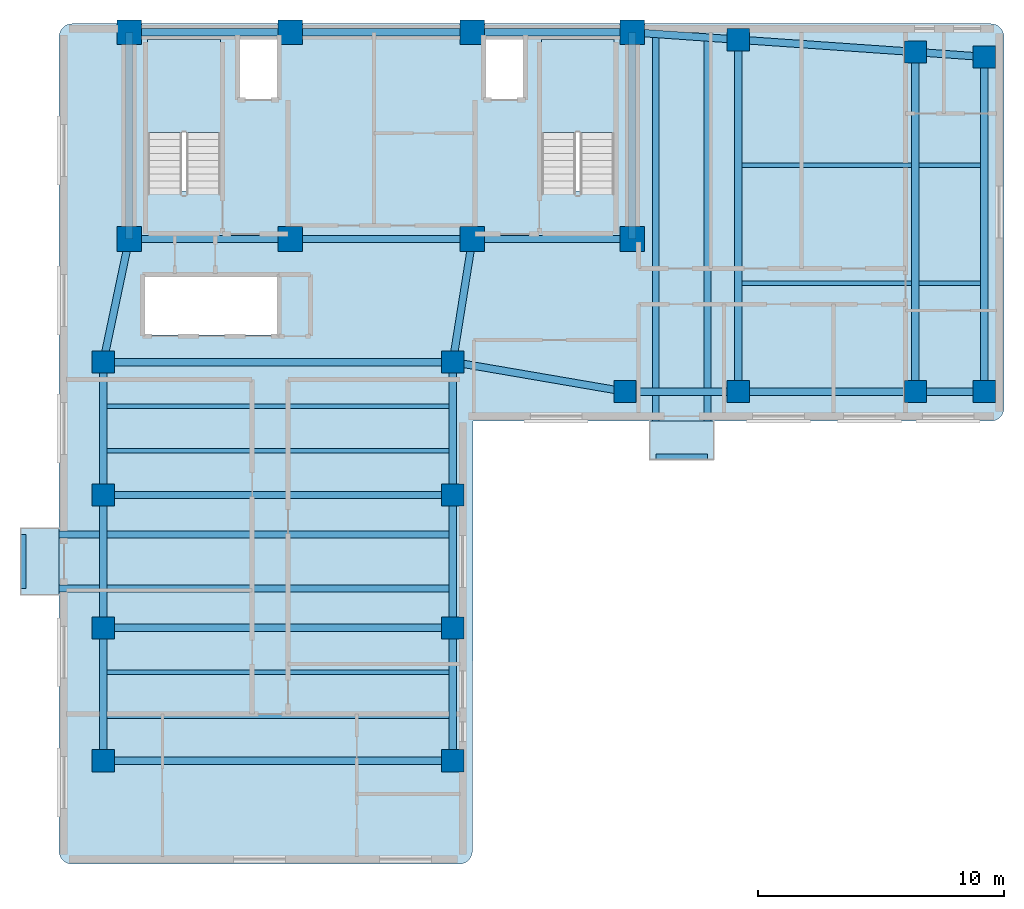
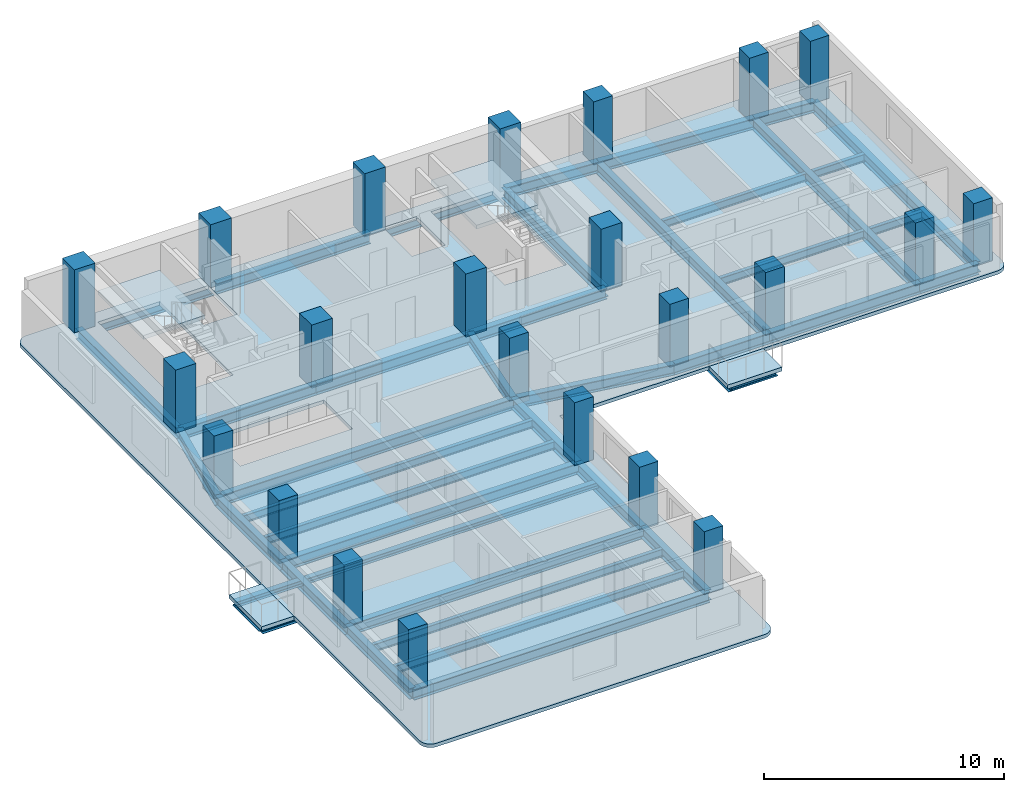
# One storey, part 1 of 7: 44 beams, 23 columns, 5 slabs, 2 elements without a shape of their own.
"""IFC4 building model written with IfcOpenShell, lengths in metres."""

from ifc_helpers import new_model, si_unit, direction, frame, origin, origin_2d, place, context, subcontext, project, spatial, polyline, rectangle, i_section, outline, extrude, material, layer, layer_set, material_profile, profile_set, type_object, element, aggregate, save


model = new_model("IFC4")

# Units and contexts
model_context = context("Model", 3, precision=1e-05, world=origin(), true_north=direction((0.0, 1.0)))
body_context = subcontext(model_context, "Body", "Model", "MODEL_VIEW")
ifc_project = project(units=[si_unit("LENGTHUNIT", "METRE"), si_unit("AREAUNIT", "SQUARE_METRE"), si_unit("VOLUMEUNIT", "CUBIC_METRE"), si_unit("PLANEANGLEUNIT", "RADIAN"), si_unit("MASSUNIT", "GRAM", prefix="KILO")], contexts=[model_context])

# Site, building, storey
site_placement = place(None, origin())
site = spatial("IfcSite", under=ifc_project, at=site_placement, CompositionType="ELEMENT")
building_placement = place(site_placement, origin())
building = spatial("IfcBuilding", under=site, at=building_placement, Name="Kuzgunbayir Cultural Tower", CompositionType="ELEMENT")
storey_placement = place(building_placement, frame((0.0, 0.0, 172.800048828125)))
storey = spatial("IfcBuildingStorey", under=building, at=storey_placement, Name="L50", CompositionType="ELEMENT", Elevation=172.800048828125)

# Columns
ifc_material_1 = material(Name="Concrete C50/60", Category="concrete")
ifc_material_profile_1 = material_profile(ifc_material_1, rectangle(XDim=1.0, YDim=1.0, at=origin_2d()), Name="RC 1000x1000")
ifc_profile_set_1 = profile_set([ifc_material_profile_1], Name="Concrete C50/60")
column_type_1 = type_object("IfcColumnType", Name="COL-CORE-1000", PredefinedType="COLUMN", material=ifc_profile_set_1)
for number, where, z_axis, x_axis, name in (
    (1, (6.449951171875, 33.800048828125, 0.0), (0.0, 0.0, 1.0), (1.0, 0.0, 0.0), "L50 T1 Core Boundary Column CC1-1"),
    (2, (13.0, 33.800048828125, 0.0), (0.0, 0.0, 1.0), (1.0, 0.0, 0.0), "L50 T1 Core Boundary Column CC1-2"),
    (3, (20.39990234375, 33.800048828125, 0.0), (0.0, 0.0, 1.0), (1.0, 0.0, 0.0), "L50 T1 Core Boundary Column CC1-3"),
    (4, (26.89990234375, 33.800048828125, 0.0), (0.0, 0.0, 1.0), (1.0, 0.0, 0.0), "L50 T1 Core Boundary Column CC1-4"),
    (5, (6.449951171875, 42.199951171875, 0.0), (0.0, 0.0, 1.0), (1.0, 0.0, 0.0), "L50 T1 Core Boundary Column CC1-5"),
    (6, (13.0, 42.199951171875, 0.0), (0.0, 0.0, 1.0), (1.0, 0.0, 0.0), "L50 T1 Core Boundary Column CC1-6"),
    (7, (20.39990234375, 42.199951171875, 0.0), (0.0, 0.0, 1.0), (1.0, 0.0, 0.0), "L50 T1 Core Boundary Column CC1-7"),
    (8, (26.89990234375, 42.199951171875, 0.0), (0.0, 0.0, 1.0), (1.0, 0.0, 0.0), "L50 T1 Core Boundary Column CC1-8"),
):
    element("IfcColumn", number, at=place(storey_placement, frame(where, z_axis=z_axis, x_axis=x_axis)), inside=storey, type_object=column_type_1, Name=name, PredefinedType="COLUMN", context=body_context, shape_type="SweptSolid", body=[
        extrude(rectangle(XDim=1.0, YDim=1.0, at=origin_2d()), origin(), (0.0, 0.0, 1.0), 3.199951171875),
    ])
ifc_material_profile_2 = material_profile(ifc_material_1, rectangle(XDim=0.89990234375, YDim=0.89990234375, at=origin_2d()), Name="RC 900x900")
ifc_profile_set_2 = profile_set([ifc_material_profile_2], Name="Concrete C50/60")
column_type_2 = type_object("IfcColumnType", Name="COL-T1-900", PredefinedType="COLUMN", material=ifc_profile_set_2)
for number, where, z_axis, x_axis, name in (
    (9, (5.39990234375, 12.60009765625, 0.0), (0.0, 0.0, 1.0), (1.0, 0.0, 0.0), "L50 Tower 1 Wing A Column T1A-W-1"),
    (10, (19.60009765625, 12.60009765625, 0.0), (0.0, 0.0, 1.0), (1.0, 0.0, 0.0), "L50 Tower 1 Wing A Column T1A-E-1"),
    (11, (5.39990234375, 18.0, 0.0), (0.0, 0.0, 1.0), (1.0, 0.0, 0.0), "L50 Tower 1 Wing A Column T1A-W-2"),
    (12, (19.60009765625, 18.0, 0.0), (0.0, 0.0, 1.0), (1.0, 0.0, 0.0), "L50 Tower 1 Wing A Column T1A-E-2"),
    (13, (5.39990234375, 23.39990234375, 0.0), (0.0, 0.0, 1.0), (1.0, 0.0, 0.0), "L50 Tower 1 Wing A Column T1A-W-3"),
    (14, (19.60009765625, 23.39990234375, 0.0), (0.0, 0.0, 1.0), (1.0, 0.0, 0.0), "L50 Tower 1 Wing A Column T1A-E-3"),
    (15, (5.39990234375, 28.800048828125, 0.0), (0.0, 0.0, 1.0), (1.0, 0.0, 0.0), "L50 Tower 1 Wing A Column T1A-W-4"),
    (16, (19.60009765625, 28.800048828125, 0.0), (0.0, 0.0, 1.0), (1.0, 0.0, 0.0), "L50 Tower 1 Wing A Column T1A-E-4"),
    (17, (26.60009765625, 27.60009765625, 0.0), (0.0, 0.0, 1.0), (1.0, 0.0, 0.0), "L50 Tower 1 Wing B Column T1B-1-1"),
    (18, (31.199951171875, 27.60009765625, 0.0), (0.0, 0.0, 1.0), (1.0, 0.0, 0.0), "L50 Tower 1 Wing B Column T1B-2-1"),
    (19, (31.199951171875, 41.89990234375, 0.0), (0.0, 0.0, 1.0), (1.0, 0.0, 0.0), "L50 Tower 1 Wing B Column T1B-2-2"),
    (20, (38.39990234375, 27.60009765625, 0.0), (0.0, 0.0, 1.0), (1.0, 0.0, 0.0), "L50 Tower 1 Wing B Column T1B-3-1"),
    (21, (38.39990234375, 41.39990234375, 0.0), (0.0, 0.0, 1.0), (1.0, 0.0, 0.0), "L50 Tower 1 Wing B Column T1B-3-2"),
    (22, (41.199951171875, 27.60009765625, 0.0), (0.0, 0.0, 1.0), (1.0, 0.0, 0.0), "L50 Tower 1 Wing B Column T1B-4-1"),
    (23, (41.199951171875, 41.199951171875, 0.0), (0.0, 0.0, 1.0), (1.0, 0.0, 0.0), "L50 Tower 1 Wing B Column T1B-4-2"),
):
    element("IfcColumn", number, at=place(storey_placement, frame(where, z_axis=z_axis, x_axis=x_axis)), inside=storey, type_object=column_type_2, Name=name, PredefinedType="COLUMN", context=body_context, shape_type="SweptSolid", body=[
        extrude(rectangle(XDim=0.89990234375, YDim=0.89990234375, at=origin_2d()), origin(), (0.0, 0.0, 1.0), 3.199951171875),
    ])

# Beams
ifc_material_2 = material(Name="Steel S355J2", Category="steel")
ifc_material_profile_3 = material_profile(ifc_material_2, i_section(OverallWidth=0.280029296875, OverallDepth=0.280029296875, WebThickness=0.010498046875, FlangeThickness=0.01806640625, FilletRadius=0.02392578125, at=origin_2d()), Name="HEB 280")
ifc_profile_set_3 = profile_set([ifc_material_profile_3], Name="Steel S355J2")
beam_type_1 = type_object("IfcBeamType", Name="BM-BAL-HEB280", PredefinedType="BEAM", material=ifc_profile_set_3)
for number, where, z_axis, x_axis, name in (
    (24, (2.159912109375, 19.60009765625, -0.340087890625), (1.0, 0.0, 0.0), (0.0, 1.0, 0.0), "L50 Balcony Outrigger Beam BAL-L50-WA2.1"),
    (25, (2.159912109375, 21.800048828125, -0.340087890625), (1.0, 0.0, 0.0), (0.0, 1.0, 0.0), "L50 Balcony Outrigger Beam BAL-L50-WA2.2"),
):
    element("IfcBeam", number, at=place(storey_placement, frame(where, z_axis=z_axis, x_axis=x_axis)), inside=storey, type_object=beam_type_1, Name=name, PredefinedType="BEAM", context=body_context, shape_type="SweptSolid", body=[
        extrude(i_section(OverallWidth=0.280029296875, OverallDepth=0.280029296875, WebThickness=0.010498046875, FlangeThickness=0.01806640625, FilletRadius=0.02392578125, at=origin_2d()), origin(), (0.0, 0.0, 1.0), 17.440185546875),
    ])
beam_1_placement = place(storey_placement, frame((27.85009765625, 24.9599609375, -0.340087890625), z_axis=(0.0, 1.0, 0.0), x_axis=(-1.0, 0.0, 0.0)))
element("IfcBeam", 26, at=beam_1_placement, inside=storey, type_object=beam_type_1, Name="L50 Balcony Outrigger Beam BAL-L50-WB1.1", PredefinedType="BEAM", context=body_context, shape_type="SweptSolid", body=[
    extrude(i_section(OverallWidth=0.280029296875, OverallDepth=0.280029296875, WebThickness=0.010498046875, FlangeThickness=0.01806640625, FilletRadius=0.02392578125, at=origin_2d()), origin(), (0.0, 0.0, 1.0), 17.169921875),
])
beam_2_placement = place(storey_placement, frame((29.949951171875, 24.9599609375, -0.340087890625), z_axis=(0.0, 1.0, 0.0), x_axis=(-1.0, 0.0, 0.0)))
element("IfcBeam", 27, at=beam_2_placement, inside=storey, type_object=beam_type_1, Name="L50 Balcony Outrigger Beam BAL-L50-WB1.2", PredefinedType="BEAM", context=body_context, shape_type="SweptSolid", body=[
    extrude(i_section(OverallWidth=0.280029296875, OverallDepth=0.280029296875, WebThickness=0.010498046875, FlangeThickness=0.01806640625, FilletRadius=0.02392578125, at=origin_2d()), origin(), (0.0, 0.0, 1.0), 17.030029296875),
])
ifc_material_profile_4 = material_profile(ifc_material_2, i_section(OverallWidth=0.199951171875, OverallDepth=0.199951171875, WebThickness=0.009033203125, FlangeThickness=0.014892578125, FilletRadius=0.01806640625, at=origin_2d()), Name="HEB 200")
ifc_profile_set_4 = profile_set([ifc_material_profile_4], Name="Steel S355J2")
beam_type_2 = type_object("IfcBeamType", Name="BM-CAN-HEB200", PredefinedType="BEAM", material=ifc_profile_set_4)
beam_3_placement = place(storey_placement, frame((2.159912109375, 19.60009765625, -0.300048828125), z_axis=(0.0, 1.0, 0.0), x_axis=(-1.0, 0.0, 0.0)))
element("IfcBeam", 28, at=beam_3_placement, inside=storey, type_object=beam_type_2, Name="L50 Balcony Edge Header BAL-L50-WA2", PredefinedType="BEAM", context=body_context, shape_type="SweptSolid", body=[
    extrude(i_section(OverallWidth=0.199951171875, OverallDepth=0.199951171875, WebThickness=0.009033203125, FlangeThickness=0.014892578125, FilletRadius=0.01806640625, at=origin_2d()), origin(), (0.0, 0.0, 1.0), 2.199951171875),
])
beam_4_placement = place(storey_placement, frame((27.85009765625, 24.9599609375, -0.300048828125), z_axis=(1.0, 0.0, 0.0), x_axis=(0.0, 1.0, 0.0)))
element("IfcBeam", 29, at=beam_4_placement, inside=storey, type_object=beam_type_2, Name="L50 Balcony Edge Header BAL-L50-WB1", PredefinedType="BEAM", context=body_context, shape_type="SweptSolid", body=[
    extrude(i_section(OverallWidth=0.199951171875, OverallDepth=0.199951171875, WebThickness=0.009033203125, FlangeThickness=0.014892578125, FilletRadius=0.01806640625, at=origin_2d()), origin(), (0.0, 0.0, 1.0), 2.099853515625),
])
ifc_material_profile_5 = material_profile(ifc_material_2, i_section(OverallWidth=0.300048828125, OverallDepth=0.550048828125, WebThickness=0.014892578125, FlangeThickness=0.029052734375, FilletRadius=0.027099609375, at=origin_2d()), Name="HEB 550")
ifc_profile_set_5 = profile_set([ifc_material_profile_5], Name="Steel S355J2")
beam_type_3 = type_object("IfcBeamType", Name="BM-EXT-HEB550", PredefinedType="BEAM", material=ifc_profile_set_5)
for number, where, z_axis, x_axis, name in (
    (30, (5.39990234375, 12.60009765625, -0.4599609375), (0.0, 1.0, 0.0), (-1.0, 0.0, 0.0), "L50 Wing A West Girder 1"),
    (31, (19.60009765625, 12.60009765625, -0.4599609375), (0.0, 1.0, 0.0), (-1.0, 0.0, 0.0), "L50 Wing A East Girder 1"),
    (32, (5.39990234375, 18.0, -0.4599609375), (0.0, 1.0, 0.0), (-1.0, 0.0, 0.0), "L50 Wing A West Girder 2"),
    (33, (19.60009765625, 18.0, -0.4599609375), (0.0, 1.0, 0.0), (-1.0, 0.0, 0.0), "L50 Wing A East Girder 2"),
):
    element("IfcBeam", number, at=place(storey_placement, frame(where, z_axis=z_axis, x_axis=x_axis)), inside=storey, type_object=beam_type_3, Name=name, PredefinedType="BEAM", context=body_context, shape_type="SweptSolid", body=[
        extrude(i_section(OverallWidth=0.300048828125, OverallDepth=0.550048828125, WebThickness=0.014892578125, FlangeThickness=0.029052734375, FilletRadius=0.027099609375, at=origin_2d()), origin(), (0.0, 0.0, 1.0), 5.39990234375),
    ])
for number, where, z_axis, x_axis, name in (
    (34, (5.39990234375, 23.39990234375, -0.4599609375), (0.0, 1.0, 0.0), (-1.0, 0.0, 0.0), "L50 Wing A West Girder 3"),
    (35, (19.60009765625, 23.39990234375, -0.4599609375), (0.0, 1.0, 0.0), (-1.0, 0.0, 0.0), "L50 Wing A East Girder 3"),
):
    element("IfcBeam", number, at=place(storey_placement, frame(where, z_axis=z_axis, x_axis=x_axis)), inside=storey, type_object=beam_type_3, Name=name, PredefinedType="BEAM", context=body_context, shape_type="SweptSolid", body=[
        extrude(i_section(OverallWidth=0.300048828125, OverallDepth=0.550048828125, WebThickness=0.014892578125, FlangeThickness=0.029052734375, FilletRadius=0.027099609375, at=origin_2d()), origin(), (0.0, 0.0, 1.0), 5.400146484375),
    ])
beam_5_placement = place(storey_placement, frame((26.60009765625, 27.60009765625, -0.4599609375), z_axis=(1.0, 0.0, 0.0), x_axis=(0.0, 1.0, 0.0)))
element("IfcBeam", 36, at=beam_5_placement, inside=storey, type_object=beam_type_3, Name="L50 Wing B South Girder 1", PredefinedType="BEAM", context=body_context, shape_type="SweptSolid", body=[
    extrude(i_section(OverallWidth=0.300048828125, OverallDepth=0.550048828125, WebThickness=0.014892578125, FlangeThickness=0.029052734375, FilletRadius=0.027099609375, at=origin_2d()), origin(), (0.0, 0.0, 1.0), 4.599853515625),
])
beam_6_placement = place(storey_placement, frame((26.89990234375, 42.199951171875, -0.4599609375), z_axis=(0.997574369175, -0.069608749203, 0.0), x_axis=(0.069608749203, 0.997574369175, 0.0)))
element("IfcBeam", 37, at=beam_6_placement, inside=storey, type_object=beam_type_3, Name="L50 Wing B North Girder 1", PredefinedType="BEAM", context=body_context, shape_type="SweptSolid", body=[
    extrude(i_section(OverallWidth=0.300048828125, OverallDepth=0.550048828125, WebThickness=0.014892578125, FlangeThickness=0.029052734375, FilletRadius=0.027099609375, at=origin_2d()), origin(), (0.0, 0.0, 1.0), 4.310546875),
])
beam_7_placement = place(storey_placement, frame((31.199951171875, 27.60009765625, -0.4599609375), z_axis=(1.0, 0.0, 0.0), x_axis=(0.0, 1.0, 0.0)))
element("IfcBeam", 38, at=beam_7_placement, inside=storey, type_object=beam_type_3, Name="L50 Wing B South Girder 2", PredefinedType="BEAM", context=body_context, shape_type="SweptSolid", body=[
    extrude(i_section(OverallWidth=0.300048828125, OverallDepth=0.550048828125, WebThickness=0.014892578125, FlangeThickness=0.029052734375, FilletRadius=0.027099609375, at=origin_2d()), origin(), (0.0, 0.0, 1.0), 7.199951171875),
])
beam_8_placement = place(storey_placement, frame((31.199951171875, 41.89990234375, -0.4599609375), z_axis=(0.997597388498, -0.069278066245, 0.0), x_axis=(0.069278066245, 0.997597388498, 0.0)))
element("IfcBeam", 39, at=beam_8_placement, inside=storey, type_object=beam_type_3, Name="L50 Wing B North Girder 2", PredefinedType="BEAM", context=body_context, shape_type="SweptSolid", body=[
    extrude(i_section(OverallWidth=0.300048828125, OverallDepth=0.550048828125, WebThickness=0.014892578125, FlangeThickness=0.029052734375, FilletRadius=0.027099609375, at=origin_2d()), origin(), (0.0, 0.0, 1.0), 7.21728515625),
])
beam_9_placement = place(storey_placement, frame((38.39990234375, 27.60009765625, -0.4599609375), z_axis=(1.0, 0.0, 0.0), x_axis=(0.0, 1.0, 0.0)))
element("IfcBeam", 40, at=beam_9_placement, inside=storey, type_object=beam_type_3, Name="L50 Wing B South Girder 3", PredefinedType="BEAM", context=body_context, shape_type="SweptSolid", body=[
    extrude(i_section(OverallWidth=0.300048828125, OverallDepth=0.550048828125, WebThickness=0.014892578125, FlangeThickness=0.029052734375, FilletRadius=0.027099609375, at=origin_2d()), origin(), (0.0, 0.0, 1.0), 2.800048828125),
])
beam_10_placement = place(storey_placement, frame((38.39990234375, 41.39990234375, -0.4599609375), z_axis=(0.997460024076, -0.071228508128, 0.0), x_axis=(0.071228508128, 0.997460024076, 0.0)))
element("IfcBeam", 41, at=beam_10_placement, inside=storey, type_object=beam_type_3, Name="L50 Wing B North Girder 3", PredefinedType="BEAM", context=body_context, shape_type="SweptSolid", body=[
    extrude(i_section(OverallWidth=0.300048828125, OverallDepth=0.550048828125, WebThickness=0.014892578125, FlangeThickness=0.029052734375, FilletRadius=0.027099609375, at=origin_2d()), origin(), (0.0, 0.0, 1.0), 2.80712890625),
])
ifc_material_profile_6 = material_profile(ifc_material_2, i_section(OverallWidth=0.300048828125, OverallDepth=0.550048828125, WebThickness=0.014892578125, FlangeThickness=0.029052734375, FilletRadius=0.027099609375, at=origin_2d()), Name="HEB 550")
ifc_profile_set_6 = profile_set([ifc_material_profile_6], Name="Steel S355J2")
beam_type_4 = type_object("IfcBeamType", Name="BM-GIR-HEB550", PredefinedType="BEAM", material=ifc_profile_set_6)
beam_11_placement = place(storey_placement, frame((6.449951171875, 33.800048828125, -0.4599609375), z_axis=(1.0, 0.0, 0.0), x_axis=(0.0, 1.0, 0.0)))
element("IfcBeam", 42, at=beam_11_placement, inside=storey, type_object=beam_type_4, Name="L50 Core South Girder 1", PredefinedType="BEAM", context=body_context, shape_type="SweptSolid", body=[
    extrude(i_section(OverallWidth=0.300048828125, OverallDepth=0.550048828125, WebThickness=0.014892578125, FlangeThickness=0.029052734375, FilletRadius=0.027099609375, at=origin_2d()), origin(), (0.0, 0.0, 1.0), 6.550048828125),
])
beam_12_placement = place(storey_placement, frame((13.0, 33.800048828125, -0.4599609375), z_axis=(1.0, 0.0, 0.0), x_axis=(0.0, 1.0, 0.0)))
element("IfcBeam", 43, at=beam_12_placement, inside=storey, type_object=beam_type_4, Name="L50 Core South Girder 2", PredefinedType="BEAM", context=body_context, shape_type="SweptSolid", body=[
    extrude(i_section(OverallWidth=0.300048828125, OverallDepth=0.550048828125, WebThickness=0.014892578125, FlangeThickness=0.029052734375, FilletRadius=0.027099609375, at=origin_2d()), origin(), (0.0, 0.0, 1.0), 7.39990234375),
])
beam_13_placement = place(storey_placement, frame((20.39990234375, 33.800048828125, -0.4599609375), z_axis=(1.0, 0.0, 0.0), x_axis=(0.0, 1.0, 0.0)))
element("IfcBeam", 44, at=beam_13_placement, inside=storey, type_object=beam_type_4, Name="L50 Core South Girder 3", PredefinedType="BEAM", context=body_context, shape_type="SweptSolid", body=[
    extrude(i_section(OverallWidth=0.300048828125, OverallDepth=0.550048828125, WebThickness=0.014892578125, FlangeThickness=0.029052734375, FilletRadius=0.027099609375, at=origin_2d()), origin(), (0.0, 0.0, 1.0), 6.5),
])
beam_14_placement = place(storey_placement, frame((6.449951171875, 42.199951171875, -0.4599609375), z_axis=(1.0, 0.0, 0.0), x_axis=(0.0, 1.0, 0.0)))
element("IfcBeam", 45, at=beam_14_placement, inside=storey, type_object=beam_type_4, Name="L50 Core North Girder 1", PredefinedType="BEAM", context=body_context, shape_type="SweptSolid", body=[
    extrude(i_section(OverallWidth=0.300048828125, OverallDepth=0.550048828125, WebThickness=0.014892578125, FlangeThickness=0.029052734375, FilletRadius=0.027099609375, at=origin_2d()), origin(), (0.0, 0.0, 1.0), 6.550048828125),
])
beam_15_placement = place(storey_placement, frame((13.0, 42.199951171875, -0.4599609375), z_axis=(1.0, 0.0, 0.0), x_axis=(0.0, 1.0, 0.0)))
element("IfcBeam", 46, at=beam_15_placement, inside=storey, type_object=beam_type_4, Name="L50 Core North Girder 2", PredefinedType="BEAM", context=body_context, shape_type="SweptSolid", body=[
    extrude(i_section(OverallWidth=0.300048828125, OverallDepth=0.550048828125, WebThickness=0.014892578125, FlangeThickness=0.029052734375, FilletRadius=0.027099609375, at=origin_2d()), origin(), (0.0, 0.0, 1.0), 7.39990234375),
])
beam_16_placement = place(storey_placement, frame((20.39990234375, 42.199951171875, -0.4599609375), z_axis=(1.0, 0.0, 0.0), x_axis=(0.0, 1.0, 0.0)))
element("IfcBeam", 47, at=beam_16_placement, inside=storey, type_object=beam_type_4, Name="L50 Core North Girder 3", PredefinedType="BEAM", context=body_context, shape_type="SweptSolid", body=[
    extrude(i_section(OverallWidth=0.300048828125, OverallDepth=0.550048828125, WebThickness=0.014892578125, FlangeThickness=0.029052734375, FilletRadius=0.027099609375, at=origin_2d()), origin(), (0.0, 0.0, 1.0), 6.5),
])
for number, where, z_axis, x_axis, name in (
    (48, (6.449951171875, 33.800048828125, -0.4599609375), (0.0, 1.0, 0.0), (-1.0, 0.0, 0.0), "L50 Core West Edge Girder"),
    (49, (26.89990234375, 33.800048828125, -0.4599609375), (0.0, 1.0, 0.0), (-1.0, 0.0, 0.0), "L50 Core East Edge Girder"),
):
    element("IfcBeam", number, at=place(storey_placement, frame(where, z_axis=z_axis, x_axis=x_axis)), inside=storey, type_object=beam_type_4, Name=name, PredefinedType="BEAM", context=body_context, shape_type="SweptSolid", body=[
        extrude(i_section(OverallWidth=0.300048828125, OverallDepth=0.550048828125, WebThickness=0.014892578125, FlangeThickness=0.029052734375, FilletRadius=0.027099609375, at=origin_2d()), origin(), (0.0, 0.0, 1.0), 8.39990234375),
    ])
for number, where, z_axis, x_axis, name in (
    (50, (5.39990234375, 12.60009765625, -0.4599609375), (1.0, 0.0, 0.0), (0.0, 1.0, 0.0), "L50 Wing A Transverse Girder 1"),
    (51, (5.39990234375, 18.0, -0.4599609375), (1.0, 0.0, 0.0), (0.0, 1.0, 0.0), "L50 Wing A Transverse Girder 2"),
    (52, (5.39990234375, 23.39990234375, -0.4599609375), (1.0, 0.0, 0.0), (0.0, 1.0, 0.0), "L50 Wing A Transverse Girder 3"),
    (53, (5.39990234375, 28.800048828125, -0.4599609375), (1.0, 0.0, 0.0), (0.0, 1.0, 0.0), "L50 Wing A Transverse Girder 4"),
):
    element("IfcBeam", number, at=place(storey_placement, frame(where, z_axis=z_axis, x_axis=x_axis)), inside=storey, type_object=beam_type_4, Name=name, PredefinedType="BEAM", context=body_context, shape_type="SweptSolid", body=[
        extrude(i_section(OverallWidth=0.300048828125, OverallDepth=0.550048828125, WebThickness=0.014892578125, FlangeThickness=0.029052734375, FilletRadius=0.027099609375, at=origin_2d()), origin(), (0.0, 0.0, 1.0), 14.2001953125),
    ])
beam_17_placement = place(storey_placement, frame((5.39990234375, 28.800048828125, -0.4599609375), z_axis=(0.205526387753, 0.978651574329, 0.0), x_axis=(-0.978651574329, 0.205526387753, 0.0)))
element("IfcBeam", 54, at=beam_17_placement, inside=storey, type_object=beam_type_4, Name="L50 Wing A West Core Floor Girder", PredefinedType="BEAM", context=body_context, shape_type="SweptSolid", body=[
    extrude(i_section(OverallWidth=0.300048828125, OverallDepth=0.550048828125, WebThickness=0.014892578125, FlangeThickness=0.029052734375, FilletRadius=0.027099609375, at=origin_2d()), origin(), (0.0, 0.0, 1.0), 5.109130859375),
])
beam_18_placement = place(storey_placement, frame((19.60009765625, 28.800048828125, -0.4599609375), z_axis=(0.157952891656, 0.987446648694, 0.0), x_axis=(-0.987446648694, 0.157952891656, 0.0)))
element("IfcBeam", 55, at=beam_18_placement, inside=storey, type_object=beam_type_4, Name="L50 Wing A East Core Floor Girder", PredefinedType="BEAM", context=body_context, shape_type="SweptSolid", body=[
    extrude(i_section(OverallWidth=0.300048828125, OverallDepth=0.550048828125, WebThickness=0.014892578125, FlangeThickness=0.029052734375, FilletRadius=0.027099609375, at=origin_2d()), origin(), (0.0, 0.0, 1.0), 5.0634765625),
])
beam_19_placement = place(storey_placement, frame((31.199951171875, 27.60009765625, -0.4599609375), z_axis=(0.0, 1.0, 0.0), x_axis=(-1.0, 0.0, 0.0)))
element("IfcBeam", 56, at=beam_19_placement, inside=storey, type_object=beam_type_4, Name="L50 Wing B Cross Girder 31", PredefinedType="BEAM", context=body_context, shape_type="SweptSolid", body=[
    extrude(i_section(OverallWidth=0.300048828125, OverallDepth=0.550048828125, WebThickness=0.014892578125, FlangeThickness=0.029052734375, FilletRadius=0.027099609375, at=origin_2d()), origin(), (0.0, 0.0, 1.0), 14.2998046875),
])
beam_20_placement = place(storey_placement, frame((38.39990234375, 27.60009765625, -0.4599609375), z_axis=(0.0, 1.0, 0.0), x_axis=(-1.0, 0.0, 0.0)))
element("IfcBeam", 57, at=beam_20_placement, inside=storey, type_object=beam_type_4, Name="L50 Wing B Cross Girder 38", PredefinedType="BEAM", context=body_context, shape_type="SweptSolid", body=[
    extrude(i_section(OverallWidth=0.300048828125, OverallDepth=0.550048828125, WebThickness=0.014892578125, FlangeThickness=0.029052734375, FilletRadius=0.027099609375, at=origin_2d()), origin(), (0.0, 0.0, 1.0), 13.7998046875),
])
beam_21_placement = place(storey_placement, frame((41.199951171875, 27.60009765625, -0.4599609375), z_axis=(0.0, 1.0, 0.0), x_axis=(-1.0, 0.0, 0.0)))
element("IfcBeam", 58, at=beam_21_placement, inside=storey, type_object=beam_type_4, Name="L50 Wing B Cross Girder 41", PredefinedType="BEAM", context=body_context, shape_type="SweptSolid", body=[
    extrude(i_section(OverallWidth=0.300048828125, OverallDepth=0.550048828125, WebThickness=0.014892578125, FlangeThickness=0.029052734375, FilletRadius=0.027099609375, at=origin_2d()), origin(), (0.0, 0.0, 1.0), 13.599853515625),
])
beam_22_placement = place(storey_placement, frame((19.60009765625, 28.800048828125, -0.4599609375), z_axis=(0.985623399742, -0.168957136221, 0.0), x_axis=(0.168957136221, 0.985623399742, 0.0)))
element("IfcBeam", 59, at=beam_22_placement, inside=storey, type_object=beam_type_4, Name="L50 Wing B Waist Tie Girder", PredefinedType="BEAM", context=body_context, shape_type="SweptSolid", body=[
    extrude(i_section(OverallWidth=0.300048828125, OverallDepth=0.550048828125, WebThickness=0.014892578125, FlangeThickness=0.029052734375, FilletRadius=0.027099609375, at=origin_2d()), origin(), (0.0, 0.0, 1.0), 7.10205078125),
])
ifc_material_profile_7 = material_profile(ifc_material_2, i_section(OverallWidth=0.179931640625, OverallDepth=0.39990234375, WebThickness=0.008544921875, FlangeThickness=0.013427734375, FilletRadius=0.02099609375, at=origin_2d()), Name="IPE 400")
ifc_profile_set_7 = profile_set([ifc_material_profile_7], Name="Steel S355J2")
beam_type_5 = type_object("IfcBeamType", Name="BM-JST-IPE400", PredefinedType="JOIST", material=ifc_profile_set_7)
for number, where, z_axis, x_axis, name in (
    (60, (5.550048828125, 14.39990234375, -0.380126953125), (1.0, 0.0, 0.0), (0.0, 1.0, 0.0), "L50 Wing A Secondary Joist 1"),
    (61, (5.550048828125, 16.199951171875, -0.380126953125), (1.0, 0.0, 0.0), (0.0, 1.0, 0.0), "L50 Wing A Secondary Joist 2"),
    (62, (5.550048828125, 25.199951171875, -0.380126953125), (1.0, 0.0, 0.0), (0.0, 1.0, 0.0), "L50 Wing A Secondary Joist 5"),
    (63, (5.550048828125, 27.0, -0.380126953125), (1.0, 0.0, 0.0), (0.0, 1.0, 0.0), "L50 Wing A Secondary Joist 6"),
):
    element("IfcBeam", number, at=place(storey_placement, frame(where, z_axis=z_axis, x_axis=x_axis)), inside=storey, type_object=beam_type_5, Name=name, PredefinedType="JOIST", context=body_context, shape_type="SweptSolid", body=[
        extrude(i_section(OverallWidth=0.179931640625, OverallDepth=0.39990234375, WebThickness=0.008544921875, FlangeThickness=0.013427734375, FilletRadius=0.02099609375, at=origin_2d()), origin(), (0.0, 0.0, 1.0), 13.89990234375),
    ])
for number, where, z_axis, x_axis, name in (
    (64, (31.35009765625, 32.0, -0.380126953125), (1.0, 0.0, 0.0), (0.0, 1.0, 0.0), "L50 Wing B Secondary Joist 1.1"),
    (65, (31.35009765625, 36.800048828125, -0.380126953125), (1.0, 0.0, 0.0), (0.0, 1.0, 0.0), "L50 Wing B Secondary Joist 1.2"),
):
    element("IfcBeam", number, at=place(storey_placement, frame(where, z_axis=z_axis, x_axis=x_axis)), inside=storey, type_object=beam_type_5, Name=name, PredefinedType="JOIST", context=body_context, shape_type="SweptSolid", body=[
        extrude(i_section(OverallWidth=0.179931640625, OverallDepth=0.39990234375, WebThickness=0.008544921875, FlangeThickness=0.013427734375, FilletRadius=0.02099609375, at=origin_2d()), origin(), (0.0, 0.0, 1.0), 6.89990234375),
    ])
for number, where, z_axis, x_axis, name in (
    (66, (38.550048828125, 32.0, -0.380126953125), (1.0, 0.0, 0.0), (0.0, 1.0, 0.0), "L50 Wing B Secondary Joist 2.1"),
    (67, (38.550048828125, 36.800048828125, -0.380126953125), (1.0, 0.0, 0.0), (0.0, 1.0, 0.0), "L50 Wing B Secondary Joist 2.2"),
):
    element("IfcBeam", number, at=place(storey_placement, frame(where, z_axis=z_axis, x_axis=x_axis)), inside=storey, type_object=beam_type_5, Name=name, PredefinedType="JOIST", context=body_context, shape_type="SweptSolid", body=[
        extrude(i_section(OverallWidth=0.179931640625, OverallDepth=0.39990234375, WebThickness=0.008544921875, FlangeThickness=0.013427734375, FilletRadius=0.02099609375, at=origin_2d()), origin(), (0.0, 0.0, 1.0), 2.5),
    ])

# Slabs
ifc_material_3 = material(Name="Concrete C40/50", Category="concrete")
ifc_layer_1 = layer(ifc_material_3, 0.199951171875)
ifc_layer_set_1 = layer_set([ifc_layer_1], Name="Concrete C40/50")
slab_type_1 = type_object("IfcSlabType", Name="SLB-BAL-STONE", PredefinedType="FLOOR", material=ifc_layer_set_1)
slab_1_placement = place(storey_placement, frame((0.0, 0.0, -0.199951171875)))
element("IfcSlab", 68, at=slab_1_placement, inside=storey, type_object=slab_type_1, Name="L50 Projecting Limestone Balcony BAL-L50-WA2", PredefinedType="FLOOR", context=body_context, shape_type="SweptSolid", body=[
    extrude(outline(polyline([(2.0400390625, 19.35009765625), (3.60009765625, 19.35009765625), (3.60009765625, 22.050048828125), (2.0400390625, 22.050048828125), (2.0400390625, 19.35009765625)])), origin(), (0.0, 0.0, 1.0), 0.199951171875),
])
slab_2_placement = place(storey_placement, frame((0.0, 0.0, -0.199951171875)))
element("IfcSlab", 69, at=slab_2_placement, inside=storey, type_object=slab_type_1, Name="L50 Projecting Limestone Balcony BAL-L50-WB1", PredefinedType="FLOOR", context=body_context, shape_type="SweptSolid", body=[
    extrude(outline(polyline([(27.60009765625, 24.840087890625), (30.199951171875, 24.840087890625), (30.199951171875, 26.39990234375), (27.60009765625, 26.39990234375), (27.60009765625, 24.840087890625)])), origin(), (0.0, 0.0, 1.0), 0.199951171875),
])

# Stair, slab
stair_type = type_object("IfcStairType", Name="STR-EXIT-CORE", PredefinedType="HALF_TURN_STAIR", material=ifc_material_3)
stair_1_placement = place(storey_placement, origin())
stair_1 = element("IfcStair", 70, at=stair_1_placement, inside=storey, type_object=stair_type, Name="L50 ST-1", PredefinedType="HALF_TURN_STAIR")
ifc_layer_2 = layer(ifc_material_3, 0.179931640625)
ifc_layer_set_2 = layer_set([ifc_layer_2], Name="Concrete C40/50")
slab_type_2 = type_object("IfcSlabType", Name="SLB-LANDING-180", PredefinedType="LANDING", material=ifc_layer_set_2)
slab_3_placement = place(storey_placement, frame((0.0, 0.0, 1.39990234375)))
slab_3 = element("IfcSlab", 71, at=slab_3_placement, type_object=slab_type_2, Name="ST-1 landing 1", PredefinedType="LANDING", context=body_context, shape_type="SweptSolid", body=[
    extrude(outline(polyline([(10.159912109375, 38.1201171875), (10.159912109375, 41.89990234375), (7.199951171875, 41.89990234375), (7.199951171875, 38.1201171875), (10.159912109375, 38.1201171875)])), origin(), (0.0, 0.0, 1.0), 0.199951171875),
])
aggregate(stair_1, [slab_3])

stair_2_placement = place(storey_placement, origin())
stair_2 = element("IfcStair", 72, at=stair_2_placement, inside=storey, type_object=stair_type, Name="L50 ST-2", PredefinedType="HALF_TURN_STAIR")
slab_4_placement = place(storey_placement, frame((0.0, 0.0, 1.39990234375)))
slab_4 = element("IfcSlab", 73, at=slab_4_placement, type_object=slab_type_2, Name="ST-2 landing 1", PredefinedType="LANDING", context=body_context, shape_type="SweptSolid", body=[
    extrude(outline(polyline([(26.159912109375, 38.1201171875), (26.159912109375, 41.89990234375), (23.199951171875, 41.89990234375), (23.199951171875, 38.1201171875), (26.159912109375, 38.1201171875)])), origin(), (0.0, 0.0, 1.0), 0.199951171875),
])
aggregate(stair_2, [slab_4])

# Slab
ifc_layer_3 = layer(ifc_material_3, 0.179931640625)
ifc_layer_set_3 = layer_set([ifc_layer_3], Name="Concrete C40/50")
slab_type_3 = type_object("IfcSlabType", Name="SLB-TYP-180", PredefinedType="FLOOR", material=ifc_layer_set_3)
slab_5_placement = place(storey_placement, frame((0.0, 0.0, -0.179931640625)))
element("IfcSlab", 74, at=slab_5_placement, inside=storey, type_object=slab_type_3, Name="L50 Tower 1 Floor Slab T1-MAIN", PredefinedType="FLOOR", context=body_context, shape_type="SweptSolid", body=[
    extrude(outline(polyline([(20.39990234375, 8.949951171875), (20.389892578125, 8.840087890625), (20.360107421875, 8.739990234375), (20.31005859375, 8.639892578125), (20.239990234375, 8.56005859375), (20.159912109375, 8.489990234375), (20.06005859375, 8.43994140625), (19.9599609375, 8.409912109375), (19.85009765625, 8.39990234375), (4.14990234375, 8.39990234375), (4.0400390625, 8.409912109375), (3.93994140625, 8.43994140625), (3.840087890625, 8.489990234375), (3.760009765625, 8.56005859375), (3.68994140625, 8.639892578125), (3.639892578125, 8.739990234375), (3.610107421875, 8.840087890625), (3.60009765625, 8.949951171875), (3.60009765625, 42.0), (3.610107421875, 42.110107421875), (3.639892578125, 42.2099609375), (3.68994140625, 42.31005859375), (3.760009765625, 42.389892578125), (3.840087890625, 42.4599609375), (3.93994140625, 42.510009765625), (4.0400390625, 42.5400390625), (4.14990234375, 42.550048828125), (41.449951171875, 42.550048828125), (41.56005859375, 42.5400390625), (41.659912109375, 42.510009765625), (41.760009765625, 42.4599609375), (41.840087890625, 42.389892578125), (41.909912109375, 42.31005859375), (41.9599609375, 42.2099609375), (41.989990234375, 42.110107421875), (42.0, 42.0), (42.0, 26.949951171875), (41.989990234375, 26.840087890625), (41.9599609375, 26.739990234375), (41.909912109375, 26.639892578125), (41.840087890625, 26.56005859375), (41.760009765625, 26.489990234375), (41.659912109375, 26.43994140625), (41.56005859375, 26.409912109375), (41.449951171875, 26.39990234375), (20.429931640625, 26.39990234375), (20.39990234375, 8.949951171875)]), holes=[polyline([(7.199951171875, 35.760009765625), (7.199951171875, 41.89990234375), (10.159912109375, 41.89990234375), (10.159912109375, 35.760009765625), (7.199951171875, 35.760009765625)]), polyline([(23.199951171875, 35.760009765625), (23.199951171875, 41.89990234375), (26.159912109375, 41.89990234375), (26.159912109375, 35.760009765625), (23.199951171875, 35.760009765625)]), polyline([(7.10009765625, 29.89990234375), (7.10009765625, 32.300048828125), (12.5, 32.300048828125), (12.5, 29.89990234375), (7.10009765625, 29.89990234375)]), polyline([(10.89990234375, 39.5), (10.89990234375, 41.89990234375), (12.5, 41.89990234375), (12.5, 39.5), (10.89990234375, 39.5)]), polyline([(20.89990234375, 39.5), (20.89990234375, 41.89990234375), (22.5, 41.89990234375), (22.5, 39.5), (20.89990234375, 39.5)])]), origin(), (0.0, 0.0, 1.0), 0.179931640625),
])

save(model, "model.ifc")
